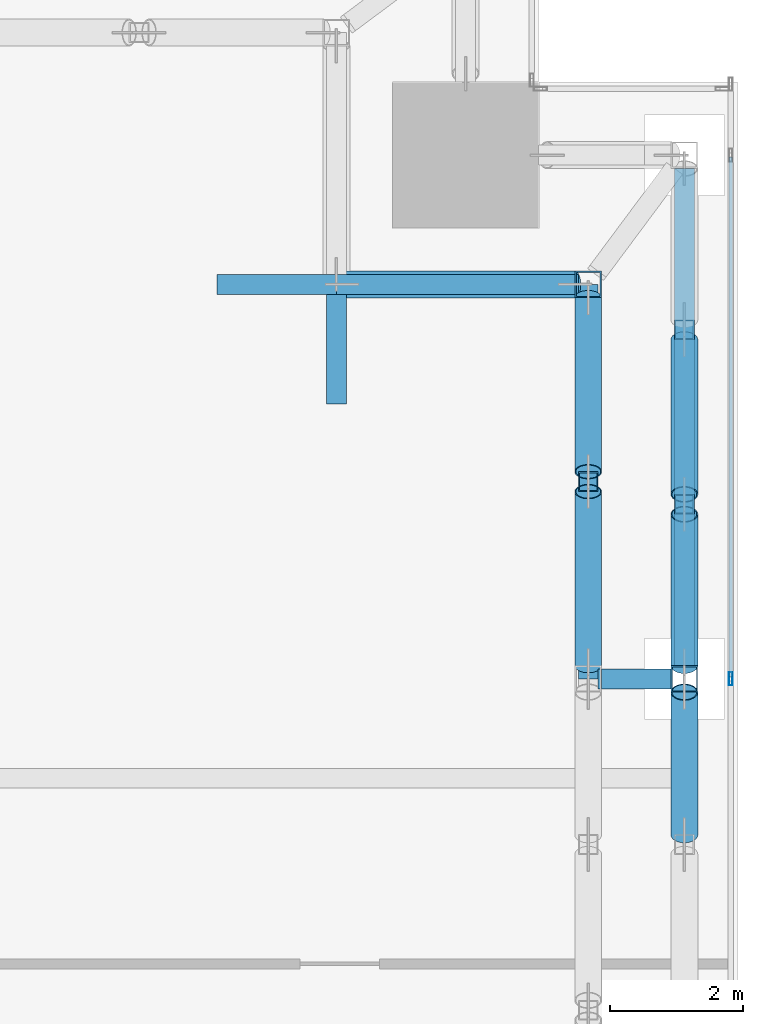
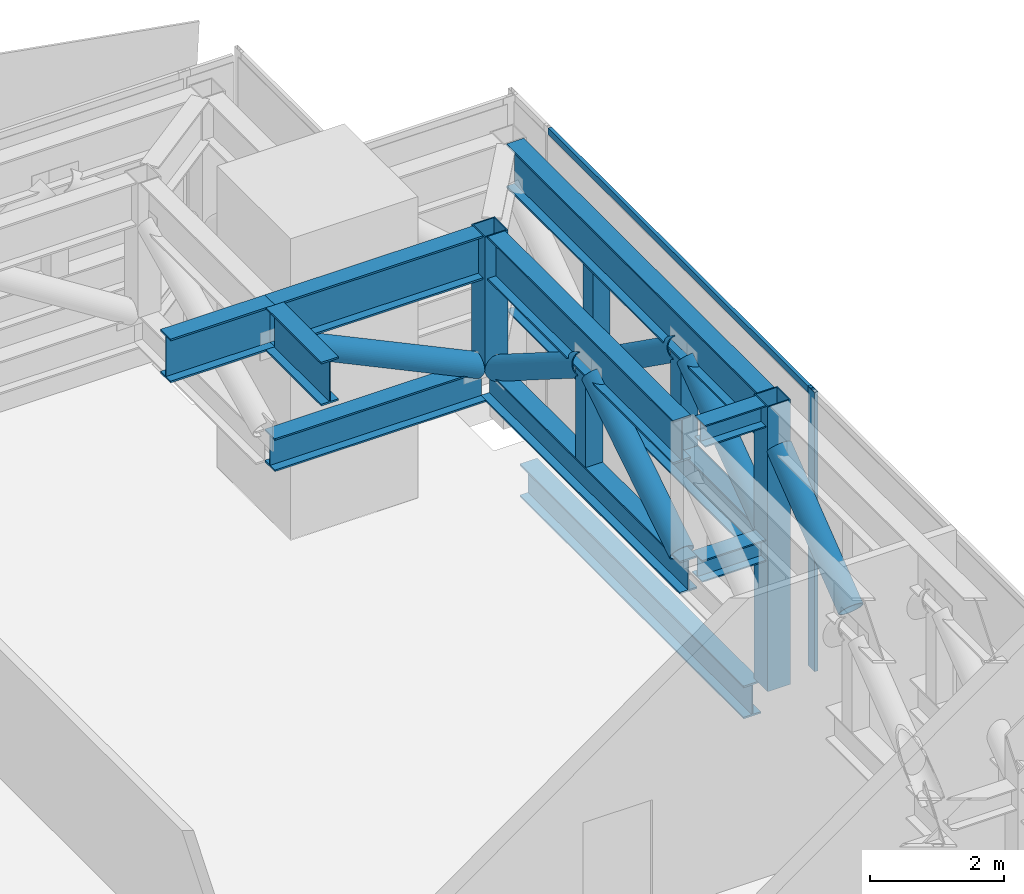
# One storey, part 24 of 39: 21 members, 3 beams, 1 element without a shape of its own.
"""IFC4 building model written with IfcOpenShell, lengths in metres."""

import ifcopenshell
import ifcopenshell.guid

model = None  # the IFC model being written
_history = None  # IfcOwnerHistory: only IFC2X3 demands one
_inside = {}  # id of a spatial element -> (the spatial element, [elements in it])
_under = {}  # id of a project, library or spatial element -> (it, [spatial elements below it])
_declared = {}  # id of a project -> (the project, [libraries it declares])
_typed = {}  # id of a type object -> (the type object, [elements of that type])
_made_of = {}  # id of a material, layer set ... -> (it, [elements and type objects made of it])


def new_model(schema):
    """Start an empty IFC model of exactly this schema.

    Asked for "IFC4X3", IfcOpenShell would pick the latest addendum, in which some entities
    have other attributes; the version numbers below select the first issue.
    IFC2X3 requires an IfcOwnerHistory on every rooted entity: one is made here for all.
    """
    global model, _history
    if schema == "IFC4X3":
        model = ifcopenshell.file(schema_version=(4, 3, 0, 0))
    else:
        model = ifcopenshell.file(schema=schema)
    _inside.clear()
    _under.clear()
    _declared.clear()
    _typed.clear()
    _made_of.clear()
    _history = None
    if model.schema == "IFC2X3":
        org = make("IfcOrganization", Name="unknown")
        user = make(
            "IfcPersonAndOrganization",
            ThePerson=make("IfcPerson", FamilyName="unknown"),
            TheOrganization=org,
        )
        app = make(
            "IfcApplication",
            ApplicationDeveloper=org,
            Version="unknown",
            ApplicationFullName="unknown",
            ApplicationIdentifier="unknown",
        )
        _history = make(
            "IfcOwnerHistory",
            OwningUser=user,
            OwningApplication=app,
            ChangeAction="ADDED",
            CreationDate=0,
        )
    return model


def make(cls, **values):
    """One entity of the class cls with the attributes given. An attribute that is None is left unset."""
    return model.create_entity(
        cls, **{name: value for name, value in values.items() if value is not None}
    )


def rooted(cls, **values):
    """An entity with a GlobalId (a new one), such as an element, a storey or a relation."""
    return make(cls, GlobalId=ifcopenshell.guid.new(), OwnerHistory=_history, **values)


def si_unit(unit_type, name, prefix=None):
    """IfcSIUnit, for example si_unit("LENGTHUNIT", "METRE", prefix="MILLI")."""
    return make("IfcSIUnit", UnitType=unit_type, Prefix=prefix, Name=name)


def assignment(units):
    """IfcUnitAssignment: the units of a project."""
    return None if units is None else make("IfcUnitAssignment", Units=units)


def point(xyz):
    """IfcCartesianPoint."""
    return None if xyz is None else make("IfcCartesianPoint", Coordinates=xyz)


def direction(xyz):
    """IfcDirection."""
    return None if xyz is None else make("IfcDirection", DirectionRatios=xyz)


def frame(location, z_axis=None, x_axis=None):
    """IfcAxis2Placement3D, a coordinate frame: its origin and axes. An axis left out is left unset."""
    return make(
        "IfcAxis2Placement3D",
        Location=point(location),
        Axis=direction(z_axis),
        RefDirection=direction(x_axis),
    )


def frame_2d(location, x_axis=None):
    """IfcAxis2Placement2D, a coordinate frame in the plane: its origin and x axis."""
    return make(
        "IfcAxis2Placement2D", Location=point(location), RefDirection=direction(x_axis)
    )


def origin():
    """The frame at (0, 0, 0) with its axes left unset."""
    return frame((0.0, 0.0, 0.0))


def origin_2d():
    """The frame at (0, 0) in the plane with its x axis left unset."""
    return frame_2d((0.0, 0.0))


def place(relative_to, where):
    """IfcLocalPlacement: puts the frame where relative to a parent placement (None: the world)."""
    return make(
        "IfcLocalPlacement", PlacementRelTo=relative_to, RelativePlacement=where
    )


def context(
    kind, dimensions, precision=None, world=None, true_north=None, identifier=None
):
    """IfcGeometricRepresentationContext, for example the 3D "Model" context."""
    return make(
        "IfcGeometricRepresentationContext",
        ContextIdentifier=identifier,
        ContextType=kind,
        CoordinateSpaceDimension=dimensions,
        Precision=precision,
        WorldCoordinateSystem=world,
        TrueNorth=true_north,
    )


def subcontext(parent, identifier, kind, view, scale=None):
    """IfcGeometricRepresentationSubContext, for example "Body" below "Model"."""
    return make(
        "IfcGeometricRepresentationSubContext",
        ContextIdentifier=identifier,
        ContextType=kind,
        ParentContext=parent,
        TargetScale=scale,
        TargetView=view,
    )


def project(units=None, contexts=None):
    """IfcProject with its units and contexts."""
    return rooted(
        "IfcProject",
        Name="project",
        RepresentationContexts=contexts,
        UnitsInContext=assignment(units),
    )


def spatial(cls, under=None, at=None, **own):
    """A site, building, storey or space (cls), placed at a placement, below another one or the project."""
    s = rooted(cls, ObjectPlacement=at, **own)
    if under is not None:
        _under.setdefault(under.id(), (under, []))[1].append(s)
    return s


def profile(cls, at=None, kind="AREA", **sizes):
    """A parametric profile (cls). Its sizes go by their IFC names, for example OverallWidth=200.0."""
    return make(cls, ProfileType=kind, Position=at, **sizes)


def hollow_rectangle(**sizes):
    """IfcRectangleHollowProfileDef."""
    return profile("IfcRectangleHollowProfileDef", **sizes)


def hollow_circle(**sizes):
    """IfcCircleHollowProfileDef."""
    return profile("IfcCircleHollowProfileDef", **sizes)


def i_section(**sizes):
    """IfcIShapeProfileDef."""
    return profile("IfcIShapeProfileDef", **sizes)


def extrude(swept, where, along, depth):
    """IfcExtrudedAreaSolid: the profile swept, set in the frame where, extruded along a direction by depth."""
    return make(
        "IfcExtrudedAreaSolid",
        SweptArea=swept,
        Position=where,
        ExtrudedDirection=direction(along),
        Depth=depth,
    )


def shape(context_of_items, identifier, shape_type, items):
    """IfcShapeRepresentation: the items that make up one representation, for example the "Body"."""
    return make(
        "IfcShapeRepresentation",
        ContextOfItems=context_of_items,
        RepresentationIdentifier=identifier,
        RepresentationType=shape_type,
        Items=items,
    )


def source(mapping_origin, context_of_items, identifier, shape_type, items):
    """IfcRepresentationMap: a shape defined once, which mapped items show again and again."""
    return make(
        "IfcRepresentationMap",
        MappingOrigin=mapping_origin,
        MappedRepresentation=shape(context_of_items, identifier, shape_type, items),
    )


def transform(
    local_origin,
    x_axis=None,
    y_axis=None,
    z_axis=None,
    scale=None,
    scale2=None,
    scale3=None,
    uniform=True,
):
    """IfcCartesianTransformationOperator3D, or its non-uniform kind. x_axis, y_axis, z_axis: its Axis1, 2, 3."""
    if uniform:
        return make(
            "IfcCartesianTransformationOperator3D",
            Axis1=direction(x_axis),
            Axis2=direction(y_axis),
            LocalOrigin=point(local_origin),
            Scale=scale,
            Axis3=direction(z_axis),
        )
    return make(
        "IfcCartesianTransformationOperator3DnonUniform",
        Axis1=direction(x_axis),
        Axis2=direction(y_axis),
        LocalOrigin=point(local_origin),
        Scale=scale,
        Axis3=direction(z_axis),
        Scale2=scale2,
        Scale3=scale3,
    )


def mapped(mapping_source, mapping_target):
    """IfcMappedItem: shows the shape of a source again, moved by a transform."""
    return make(
        "IfcMappedItem", MappingSource=mapping_source, MappingTarget=mapping_target
    )


def material(Name=None, Category=None):
    """IfcMaterial."""
    return make("IfcMaterial", Name=Name, Category=Category)


def material_profile(
    of_material, cross_section, Name=None, Category=None, Priority=None
):
    """IfcMaterialProfile: a cross section and its material."""
    return make(
        "IfcMaterialProfile",
        Name=Name,
        Material=of_material,
        Profile=cross_section,
        Priority=Priority,
        Category=Category,
    )


def profile_set(profiles, Name=None, composite=None):
    """IfcMaterialProfileSet."""
    return make(
        "IfcMaterialProfileSet",
        Name=Name,
        MaterialProfiles=profiles,
        CompositeProfile=composite,
    )


def made_of(thing, what):
    """Note that an element or type object is made of a material, layer set ...; save() writes the relation."""
    if what is not None:
        _made_of.setdefault(what.id(), (what, []))[1].append(thing)
    return thing


def type_object(cls, material=None, **own):
    """A type object (cls), such as IfcWallType, which elements share."""
    return made_of(rooted(cls, **own), material)


def element(
    cls,
    number,
    at=None,
    inside=None,
    cuts=None,
    type_object=None,
    material=None,
    context=None,
    identifier="Body",
    shape_type=None,
    held_by="IfcProductDefinitionShape",
    body=None,
    shapes=None,
    **own,
):
    """One element of the class cls, such as IfcWall. Its Tag is "e" and its number.

    at: its placement. inside: the storey or other place that contains it. cuts: it is an
    opening in that element (IfcRelVoidsElement). A single representation is given by context,
    identifier, shape_type and body (its items); several are given by shapes. held_by: the class
    of the entity that holds the representations. save() writes the other relations.
    """
    e = rooted(cls, Tag="e%d" % number, ObjectPlacement=at, **own)
    if body is not None:
        shapes = [shape(context, identifier, shape_type, body)]
    if shapes is not None:
        e.Representation = make(held_by, Representations=shapes)
    if inside is not None:
        _inside.setdefault(inside.id(), (inside, []))[1].append(e)
    if cuts is not None:
        rooted(
            "IfcRelVoidsElement", RelatingBuildingElement=cuts, RelatedOpeningElement=e
        )
    if type_object is not None:
        _typed.setdefault(type_object.id(), (type_object, []))[1].append(e)
    return made_of(e, material)


def aggregate(whole, parts):
    """IfcRelAggregates: a whole, such as a stair, and the parts it consists of."""
    return rooted("IfcRelAggregates", RelatingObject=whole, RelatedObjects=parts)


def save(model, path):
    """Write the relations noted so far, then the file.

    IfcRelAggregates (storeys below a building ...), IfcRelContainedInSpatialStructure (elements
    in a storey), IfcRelDefinesByType, IfcRelAssociatesMaterial and IfcRelDeclares: one each for
    every whole, place, type object, material and project.
    """
    for whole, parts in _under.values():
        aggregate(whole, parts)
    for where, things in _inside.values():
        rooted(
            "IfcRelContainedInSpatialStructure",
            RelatedElements=things,
            RelatingStructure=where,
        )
    for kind, things in _typed.values():
        rooted("IfcRelDefinesByType", RelatedObjects=things, RelatingType=kind)
    for what, things in _made_of.values():
        rooted("IfcRelAssociatesMaterial", RelatedObjects=things, RelatingMaterial=what)
    for by, libraries in _declared.values():
        rooted("IfcRelDeclares", RelatingContext=by, RelatedDefinitions=libraries)
    model.write(path)


model = new_model("IFC4")

# Units and contexts
model_context = context("Model", 3, precision=1e-05, world=origin(), true_north=direction((0.0, 1.0)))
body_context = subcontext(model_context, "Body", "Model", "MODEL_VIEW")
ifc_project = project(units=[si_unit("LENGTHUNIT", "METRE"), si_unit("AREAUNIT", "SQUARE_METRE"), si_unit("VOLUMEUNIT", "CUBIC_METRE"), si_unit("PLANEANGLEUNIT", "RADIAN"), si_unit("MASSUNIT", "GRAM", prefix="KILO")], contexts=[model_context])

# Site, building, storey
site_placement = place(None, origin())
site = spatial("IfcSite", under=ifc_project, at=site_placement, CompositionType="ELEMENT")
building_placement = place(site_placement, origin())
building = spatial("IfcBuilding", under=site, at=building_placement, Name="Khomas Fold Tower", CompositionType="ELEMENT")
storey_placement = place(building_placement, frame((0.0, 0.0, 96.0)))
storey = spatial("IfcBuildingStorey", under=building, at=storey_placement, Name="L20", CompositionType="ELEMENT", Elevation=96.0)

# Beam
ifc_material_1 = material(Name="Steel S355", Category="steel")
ifc_material_profile_1 = material_profile(ifc_material_1, i_section(OverallWidth=0.300048828125, OverallDepth=0.60009765625, WebThickness=0.015380859375, FlangeThickness=0.030029296875, at=origin_2d()), Name="HE 600 B")
ifc_profile_set_1 = profile_set([ifc_material_profile_1], Name="Steel S355")
beam_type_1 = type_object("IfcBeamType", Name="HE 600 B spandrel SB1", PredefinedType="SPANDREL", material=ifc_profile_set_1)
shared_shape_1 = source(origin(), body_context, "Body", "SweptSolid", [
    extrude(i_section(OverallWidth=0.300048828125, OverallDepth=0.60009765625, WebThickness=0.015380859375, FlangeThickness=0.030029296875, at=origin_2d()), origin(), (0.0, 0.0, 1.0), 6.699951171875),
])
beam_1_placement = place(storey_placement, frame((53.199951171875, 42.60009765625, -0.699951171875), z_axis=(0.0, 1.0, 0.0), x_axis=(-1.0, 0.0, 0.0)))
element("IfcBeam", 1, at=beam_1_placement, inside=storey, type_object=beam_type_1, Name="SB1", PredefinedType="SPANDREL", context=body_context, shape_type="MappedRepresentation", body=[
    mapped(shared_shape_1, transform((0.0, 0.0, 0.0))),
])

# Members
ifc_material_2 = material(Name="Steel S460M", Category="steel")
ifc_material_profile_2 = material_profile(ifc_material_2, i_section(OverallWidth=0.300048828125, OverallDepth=0.800048828125, WebThickness=0.017578125, FlangeThickness=0.032958984375, at=origin_2d()), Name="HE 800 B")
ifc_profile_set_2 = profile_set([ifc_material_profile_2], Name="Steel S460M")
member_type_1 = type_object("IfcMemberType", Name="BELT TRUSS 1 TOP CHORD HE 800 B", PredefinedType="CHORD", material=ifc_profile_set_2)
shared_shape_2 = source(origin(), body_context, "Body", "SweptSolid", [
    extrude(i_section(OverallWidth=0.300048828125, OverallDepth=0.800048828125, WebThickness=0.017578125, FlangeThickness=0.032958984375, at=origin_2d()), origin(), (0.0, 0.0, 1.0), 7.5),
])
member_1_placement = place(storey_placement, frame((53.199951171875, 42.199951171875, 4.800048828125), z_axis=(0.0, 1.0, 0.0), x_axis=(-1.0, 0.0, 0.0)))
element("IfcMember", 2, at=member_1_placement, inside=storey, type_object=member_type_1, Name="BT1-CT", PredefinedType="CHORD", context=body_context, shape_type="MappedRepresentation", body=[
    mapped(shared_shape_2, transform((0.0, 0.0, 0.0))),
])
ifc_material_3 = material(Name="Steel S355", Category="steel")
ifc_material_profile_3 = material_profile(ifc_material_3, i_section(OverallWidth=0.300048828125, OverallDepth=0.60009765625, WebThickness=0.015380859375, FlangeThickness=0.030029296875, at=origin_2d()), Name="HE 600 B")
ifc_profile_set_3 = profile_set([ifc_material_profile_3], Name="Steel S355")
member_type_2 = type_object("IfcMemberType", Name="BELT TRUSS 1 BOTTOM CHORD HE 600 B", PredefinedType="CHORD", material=ifc_profile_set_3)
shared_shape_3 = source(origin(), body_context, "Body", "SweptSolid", [
    extrude(i_section(OverallWidth=0.300048828125, OverallDepth=0.60009765625, WebThickness=0.015380859375, FlangeThickness=0.030029296875, at=origin_2d()), origin(), (0.0, 0.0, 1.0), 7.5),
])
member_2_placement = place(storey_placement, frame((53.199951171875, 42.199951171875, 2.449951171875), z_axis=(0.0, 1.0, 0.0), x_axis=(-1.0, 0.0, 0.0)))
element("IfcMember", 3, at=member_2_placement, inside=storey, type_object=member_type_2, Name="BT1-CB", PredefinedType="CHORD", context=body_context, shape_type="MappedRepresentation", body=[
    mapped(shared_shape_3, transform((0.0, 0.0, 0.0))),
])
ifc_material_4 = material(Name="Steel S355", Category="steel")
ifc_material_profile_4 = material_profile(ifc_material_4, hollow_circle(Radius=0.203125, WallThickness=0.01611328125, at=origin_2d()), Name="CHS 406.4x16")
ifc_profile_set_4 = profile_set([ifc_material_profile_4], Name="Steel S355")
member_type_3 = type_object("IfcMemberType", Name="BELT TRUSS 1 DIAGONAL CHS 406.4x16", PredefinedType="BRACE", material=ifc_profile_set_4)
shared_shape_4 = source(origin(), body_context, "Body", "SweptSolid", [
    extrude(hollow_circle(Radius=0.203125, WallThickness=0.01611328125, at=origin_2d()), origin(), (0.0, 0.0, 1.0), 2.863525390625),
])
member_3_placement = place(storey_placement, frame((53.199951171875, 44.783447265625, 4.405029296875), z_axis=(0.0, 0.814838084694, -0.579688619633), x_axis=(-1.0, 0.0, 0.0)))
element("IfcMember", 4, at=member_3_placement, inside=storey, type_object=member_type_3, Name="BT1-D", PredefinedType="BRACE", context=body_context, shape_type="MappedRepresentation", body=[
    mapped(shared_shape_4, transform((0.0, 0.0, 0.0))),
])
shared_shape_5 = source(origin(), body_context, "Body", "SweptSolid", [
    extrude(hollow_circle(Radius=0.203125, WallThickness=0.01611328125, at=origin_2d()), origin(), (0.0, 0.0, 1.0), 2.822998046875),
])
member_4_placement = place(storey_placement, frame((53.199951171875, 42.199951171875, 2.7451171875), z_axis=(0.0, 0.808866956084, 0.587991706876), x_axis=(-1.0, 0.0, 0.0)))
element("IfcMember", 5, at=member_4_placement, inside=storey, type_object=member_type_3, Name="BT1-D", PredefinedType="BRACE", context=body_context, shape_type="MappedRepresentation", body=[
    mapped(shared_shape_5, transform((0.0, 0.0, 0.0))),
])
ifc_material_5 = material(Name="Steel S355", Category="steel")
ifc_material_profile_5 = material_profile(ifc_material_5, hollow_rectangle(XDim=0.300048828125, YDim=0.300048828125, WallThickness=0.01611328125, at=origin_2d()), Name="SHS 300x300x16")
ifc_profile_set_5 = profile_set([ifc_material_profile_5], Name="Steel S355")
member_type_4 = type_object("IfcMemberType", Name="BELT TRUSS 1 MID POST SHS 300x300x16", PredefinedType="POST", material=ifc_profile_set_5)
shared_shape_6 = source(origin(), body_context, "Body", "SweptSolid", [
    extrude(hollow_rectangle(XDim=0.300048828125, YDim=0.300048828125, WallThickness=0.01611328125, at=origin_2d()), origin(), (0.0, 0.0, 1.0), 1.64990234375),
])
for number, where, z_axis, x_axis, name in (
    (6, (53.199951171875, 44.63330078125, 2.75), (0.0, 0.0, 1.0), (1.0, 0.0, 0.0), "BT1-M"),
    (7, (53.199951171875, 47.2666015625, 2.75), (0.0, 0.0, 1.0), (1.0, 0.0, 0.0), "BT1-M"),
    (8, (51.75, 44.97509765625, 2.75), (0.0, 0.0, 1.0), (1.0, 0.0, 0.0), "BT1-M"),
):
    element("IfcMember", number, at=place(storey_placement, frame(where, z_axis=z_axis, x_axis=x_axis)), inside=storey, type_object=member_type_4, Name=name, PredefinedType="POST", context=body_context, shape_type="MappedRepresentation", body=[
        mapped(shared_shape_6, transform((0.0, 0.0, 0.0))),
    ])
shared_shape_7 = source(origin(), body_context, "Body", "SweptSolid", [
    extrude(hollow_circle(Radius=0.203125, WallThickness=0.01611328125, at=origin_2d()), origin(), (0.0, 0.0, 1.0), 2.71630859375),
])
member_5_placement = place(storey_placement, frame((53.199951171875, 39.64990234375, 2.7451171875), z_axis=(0.0, 0.791563625226, 0.611086759159), x_axis=(-1.0, 0.0, 0.0)))
element("IfcMember", 9, at=member_5_placement, inside=storey, type_object=member_type_3, Name="BT1-D", PredefinedType="BRACE", context=body_context, shape_type="MappedRepresentation", body=[
    mapped(shared_shape_7, transform((0.0, 0.0, 0.0))),
])
shared_shape_8 = source(origin(), body_context, "Body", "SweptSolid", [
    extrude(i_section(OverallWidth=0.300048828125, OverallDepth=0.800048828125, WebThickness=0.017578125, FlangeThickness=0.032958984375, at=origin_2d()), origin(), (0.0, 0.0, 1.0), 5.550048828125),
])
member_6_placement = place(storey_placement, frame((51.75, 42.199951171875, 4.800048828125), z_axis=(0.0, 1.0, 0.0), x_axis=(-1.0, 0.0, 0.0)))
element("IfcMember", 10, at=member_6_placement, inside=storey, type_object=member_type_1, Name="BT1-CT", PredefinedType="CHORD", context=body_context, shape_type="MappedRepresentation", body=[
    mapped(shared_shape_8, transform((0.0, 0.0, 0.0))),
])
shared_shape_9 = source(origin(), body_context, "Body", "SweptSolid", [
    extrude(hollow_circle(Radius=0.203125, WallThickness=0.01611328125, at=origin_2d()), origin(), (0.0, 0.0, 1.0), 3.105712890625),
])
for number, where, z_axis, x_axis, name in (
    (11, (51.75, 42.199951171875, 2.7451171875), (0.0, 0.84519551241, 0.534457244129), (-1.0, 0.0, 0.0), "BT1-D"),
    (12, (51.75, 45.125, 4.405029296875), (0.0, 0.84519551241, -0.534457244129), (-1.0, 0.0, 0.0), "BT1-D"),
):
    element("IfcMember", number, at=place(storey_placement, frame(where, z_axis=z_axis, x_axis=x_axis)), inside=storey, type_object=member_type_3, Name=name, PredefinedType="BRACE", context=body_context, shape_type="MappedRepresentation", body=[
        mapped(shared_shape_9, transform((0.0, 0.0, 0.0))),
    ])
shared_shape_10 = source(origin(), body_context, "Body", "SweptSolid", [
    extrude(i_section(OverallWidth=0.300048828125, OverallDepth=0.60009765625, WebThickness=0.015380859375, FlangeThickness=0.030029296875, at=origin_2d()), origin(), (0.0, 0.0, 1.0), 5.949951171875),
])
member_7_placement = place(storey_placement, frame((51.75, 42.0, 2.449951171875), z_axis=(0.0, 1.0, 0.0), x_axis=(-1.0, 0.0, 0.0)))
element("IfcMember", 13, at=member_7_placement, inside=storey, type_object=member_type_2, Name="BT1-CB", PredefinedType="CHORD", context=body_context, shape_type="MappedRepresentation", body=[
    mapped(shared_shape_10, transform((0.0, 0.0, 0.0))),
])
ifc_material_6 = material(Name="Steel S460M", Category="steel")
ifc_material_profile_6 = material_profile(ifc_material_6, i_section(OverallWidth=0.300048828125, OverallDepth=0.800048828125, WebThickness=0.017578125, FlangeThickness=0.032958984375, at=origin_2d()), Name="HE 800 B")
ifc_profile_set_6 = profile_set([ifc_material_profile_6], Name="Steel S460M")
member_type_5 = type_object("IfcMemberType", Name="BELT TRUSS 1 TOP CHORD SHORT HE 800 B", PredefinedType="CHORD", material=ifc_profile_set_6)
shared_shape_11 = source(origin(), body_context, "Body", "SweptSolid", [
    extrude(i_section(OverallWidth=0.300048828125, OverallDepth=0.800048828125, WebThickness=0.017578125, FlangeThickness=0.032958984375, at=origin_2d()), origin(), (0.0, 0.0, 1.0), 3.60009765625),
])
member_8_placement = place(storey_placement, frame((51.550048828125, 47.949951171875, 4.800048828125), z_axis=(-1.0, 0.0, 0.0), x_axis=(0.0, -1.0, 0.0)))
element("IfcMember", 14, at=member_8_placement, inside=storey, type_object=member_type_5, Name="BT1-CTS", PredefinedType="CHORD", context=body_context, shape_type="MappedRepresentation", body=[
    mapped(shared_shape_11, transform((0.0, 0.0, 0.0))),
])
ifc_material_7 = material(Name="Steel S355", Category="steel")
ifc_material_profile_7 = material_profile(ifc_material_7, hollow_circle(Radius=0.203125, WallThickness=0.01611328125, at=origin_2d()), Name="CHS 406.4x16")
ifc_profile_set_7 = profile_set([ifc_material_profile_7], Name="Steel S355")
member_type_6 = type_object("IfcMemberType", Name="BELT TRUSS 1 DIAGONAL LONG CHS 406.4x16", PredefinedType="BRACE", material=ifc_profile_set_7)
shared_shape_12 = source(origin(), body_context, "Body", "SweptSolid", [
    extrude(hollow_circle(Radius=0.203125, WallThickness=0.01611328125, at=origin_2d()), origin(), (0.0, 0.0, 1.0), 3.887451171875),
])
member_9_placement = place(storey_placement, frame((51.550048828125, 47.949951171875, 2.7451171875), z_axis=(-0.904261444129, 0.0, 0.426979204016), x_axis=(0.0, -1.0, 0.0)))
element("IfcMember", 15, at=member_9_placement, inside=storey, type_object=member_type_6, Name="BT1-DL", PredefinedType="BRACE", context=body_context, shape_type="MappedRepresentation", body=[
    mapped(shared_shape_12, transform((0.0, 0.0, 0.0))),
])
ifc_material_8 = material(Name="Steel S460M", Category="steel")
ifc_material_profile_8 = material_profile(ifc_material_8, i_section(OverallWidth=0.300048828125, OverallDepth=0.800048828125, WebThickness=0.017578125, FlangeThickness=0.032958984375, at=origin_2d()), Name="HE 800 B")
ifc_profile_set_8 = profile_set([ifc_material_profile_8], Name="Steel S460M")
member_type_7 = type_object("IfcMemberType", Name="BELT TRUSS 1 TOP CHORD SHORTER HE 800 B", PredefinedType="CHORD", material=ifc_profile_set_8)
shared_shape_13 = source(origin(), body_context, "Body", "SweptSolid", [
    extrude(i_section(OverallWidth=0.300048828125, OverallDepth=0.800048828125, WebThickness=0.017578125, FlangeThickness=0.032958984375, at=origin_2d()), origin(), (0.0, 0.0, 1.0), 1.800048828125),
])
member_10_placement = place(storey_placement, frame((47.949951171875, 47.949951171875, 4.800048828125), z_axis=(-1.0, 0.0, 0.0), x_axis=(0.0, -1.0, 0.0)))
element("IfcMember", 16, at=member_10_placement, inside=storey, type_object=member_type_7, Name="BT1-CTSS", PredefinedType="CHORD", context=body_context, shape_type="MappedRepresentation", body=[
    mapped(shared_shape_13, transform((0.0, 0.0, 0.0))),
])
shared_shape_14 = source(origin(), body_context, "Body", "SweptSolid", [
    extrude(i_section(OverallWidth=0.300048828125, OverallDepth=0.800048828125, WebThickness=0.017578125, FlangeThickness=0.032958984375, at=origin_2d()), origin(), (0.0, 0.0, 1.0), 1.650146484375),
])
member_11_placement = place(storey_placement, frame((47.949951171875, 47.800048828125, 4.800048828125), z_axis=(0.0, -1.0, 0.0), x_axis=(1.0, 0.0, 0.0)))
element("IfcMember", 17, at=member_11_placement, inside=storey, type_object=member_type_7, Name="BT1-CTSS", PredefinedType="CHORD", context=body_context, shape_type="MappedRepresentation", body=[
    mapped(shared_shape_14, transform((0.0, 0.0, 0.0))),
])
ifc_material_9 = material(Name="Steel S355", Category="steel")
ifc_material_profile_9 = material_profile(ifc_material_9, i_section(OverallWidth=0.300048828125, OverallDepth=0.60009765625, WebThickness=0.015380859375, FlangeThickness=0.030029296875, at=origin_2d()), Name="HE 600 B")
ifc_profile_set_9 = profile_set([ifc_material_profile_9], Name="Steel S355")
member_type_8 = type_object("IfcMemberType", Name="BELT TRUSS 1 BOTTOM CHORD SHORT HE 600 B", PredefinedType="CHORD", material=ifc_profile_set_9)
shared_shape_15 = source(origin(), body_context, "Body", "SweptSolid", [
    extrude(i_section(OverallWidth=0.300048828125, OverallDepth=0.60009765625, WebThickness=0.015380859375, FlangeThickness=0.030029296875, at=origin_2d()), origin(), (0.0, 0.0, 1.0), 3.650146484375),
])
member_12_placement = place(storey_placement, frame((51.60009765625, 47.949951171875, 2.449951171875), z_axis=(-1.0, 0.0, 0.0), x_axis=(0.0, -1.0, 0.0)))
element("IfcMember", 18, at=member_12_placement, inside=storey, type_object=member_type_8, Name="BT1-CBS", PredefinedType="CHORD", context=body_context, shape_type="MappedRepresentation", body=[
    mapped(shared_shape_15, transform((0.0, 0.0, 0.0))),
])
ifc_material_10 = material(Name="Steel S460M", Category="steel")
ifc_material_profile_10 = material_profile(ifc_material_10, hollow_rectangle(XDim=0.39990234375, YDim=0.39990234375, WallThickness=0.02001953125, at=origin_2d()), Name="SHS 400x400x20")
ifc_profile_set_10 = profile_set([ifc_material_profile_10], Name="Steel S460M")
member_type_9 = type_object("IfcMemberType", Name="BELT TRUSS 1 COLUMN POST LONG SHS 400x400x20", PredefinedType="POST", material=ifc_profile_set_10)
shared_shape_16 = source(origin(), body_context, "Body", "SweptSolid", [
    extrude(hollow_rectangle(XDim=0.39990234375, YDim=0.39990234375, WallThickness=0.02001953125, at=origin_2d()), origin(), (0.0, 0.0, 1.0), 5.199951171875),
])
member_13_placement = place(storey_placement, frame((53.199951171875, 42.0, 0.0), z_axis=(0.0, 0.0, 1.0), x_axis=(1.0, 0.0, 0.0)))
element("IfcMember", 19, at=member_13_placement, inside=storey, type_object=member_type_9, Name="BT1-PL", PredefinedType="POST", context=body_context, shape_type="MappedRepresentation", body=[
    mapped(shared_shape_16, transform((0.0, 0.0, 0.0))),
])
ifc_material_11 = material(Name="Steel S460M", Category="steel")
ifc_material_profile_11 = material_profile(ifc_material_11, hollow_rectangle(XDim=0.39990234375, YDim=0.39990234375, WallThickness=0.02001953125, at=origin_2d()), Name="SHS 400x400x20")
ifc_profile_set_11 = profile_set([ifc_material_profile_11], Name="Steel S460M")
member_type_10 = type_object("IfcMemberType", Name="BELT TRUSS 1 COLUMN POST SHS 400x400x20", PredefinedType="POST", material=ifc_profile_set_11)
shared_shape_17 = source(origin(), body_context, "Body", "SweptSolid", [
    extrude(hollow_rectangle(XDim=0.39990234375, YDim=0.39990234375, WallThickness=0.02001953125, at=origin_2d()), origin(), (0.0, 0.0, 1.0), 2.449951171875),
])
member_14_placement = place(storey_placement, frame((51.75, 47.949951171875, 2.75), z_axis=(0.0, 0.0, 1.0), x_axis=(1.0, 0.0, 0.0)))
element("IfcMember", 20, at=member_14_placement, inside=storey, type_object=member_type_10, Name="BT1-P", PredefinedType="POST", context=body_context, shape_type="MappedRepresentation", body=[
    mapped(shared_shape_17, transform((0.0, 0.0, 0.0))),
])

# Beams
ifc_material_12 = material(Name="Steel S355", Category="steel")
ifc_material_profile_12 = material_profile(ifc_material_12, i_section(OverallWidth=0.300048828125, OverallDepth=0.39990234375, WebThickness=0.013427734375, FlangeThickness=0.02392578125, at=origin_2d()), Name="HE 400 B")
ifc_profile_set_12 = profile_set([ifc_material_profile_12], Name="Steel S355")
beam_type_2 = type_object("IfcBeamType", Name="BELT TRUSS 1 TOP STRUT HE 400 B", PredefinedType="BEAM", material=ifc_profile_set_12)
shared_shape_18 = source(origin(), body_context, "Body", "SweptSolid", [
    extrude(i_section(OverallWidth=0.300048828125, OverallDepth=0.39990234375, WebThickness=0.013427734375, FlangeThickness=0.02392578125, at=origin_2d()), origin(), (0.0, 0.0, 1.0), 1.050048828125),
])
beam_2_placement = place(storey_placement, frame((51.949951171875, 42.0, 5.0), z_axis=(1.0, 0.0, 0.0), x_axis=(0.0, 1.0, 0.0)))
element("IfcBeam", 21, at=beam_2_placement, inside=storey, type_object=beam_type_2, Name="BT1-ST", PredefinedType="BEAM", context=body_context, shape_type="MappedRepresentation", body=[
    mapped(shared_shape_18, transform((0.0, 0.0, 0.0))),
])
ifc_material_13 = material(Name="Steel S355", Category="steel")
ifc_material_profile_13 = material_profile(ifc_material_13, i_section(OverallWidth=0.300048828125, OverallDepth=0.39990234375, WebThickness=0.013427734375, FlangeThickness=0.02392578125, at=origin_2d()), Name="HE 400 B")
ifc_profile_set_13 = profile_set([ifc_material_profile_13], Name="Steel S355")
beam_type_3 = type_object("IfcBeamType", Name="BELT TRUSS 1 BOTTOM STRUT HE 400 B", PredefinedType="BEAM", material=ifc_profile_set_13)
shared_shape_19 = source(origin(), body_context, "Body", "SweptSolid", [
    extrude(i_section(OverallWidth=0.300048828125, OverallDepth=0.39990234375, WebThickness=0.013427734375, FlangeThickness=0.02392578125, at=origin_2d()), origin(), (0.0, 0.0, 1.0), 1.10009765625),
])
beam_3_placement = place(storey_placement, frame((51.89990234375, 42.0, 2.550048828125), z_axis=(1.0, 0.0, 0.0), x_axis=(0.0, 1.0, 0.0)))
element("IfcBeam", 22, at=beam_3_placement, inside=storey, type_object=beam_type_3, Name="BT1-SB", PredefinedType="BEAM", context=body_context, shape_type="MappedRepresentation", body=[
    mapped(shared_shape_19, transform((0.0, 0.0, 0.0))),
])

# Curtain wall, members
ifc_material_14 = material(Name="Aluminium framed double glazing", Category="aluminium")
curtain_wall_type = type_object("IfcCurtainWallType", Name="SK-Plant louvre wall CW4", PredefinedType="NOTDEFINED", material=ifc_material_14)
curtain_wall_placement = place(storey_placement, origin())
curtain_wall = element("IfcCurtainWall", 23, at=curtain_wall_placement, inside=storey, type_object=curtain_wall_type, Name="CW4 run L20 03-0", PredefinedType="NOTDEFINED")
ifc_material_15 = material(Name="Aluminium", Category="aluminium")
ifc_material_profile_14 = material_profile(ifc_material_15, hollow_rectangle(XDim=0.06005859375, YDim=0.199951171875, WallThickness=0.00390625, at=origin_2d()), Name="SK-Plant louvre wall mullion CW4-M")
ifc_profile_set_14 = profile_set([ifc_material_profile_14], Name="Aluminium")
member_type_11 = type_object("IfcMemberType", Name="SK-Plant louvre wall mullion CW4-M", PredefinedType="MULLION", material=ifc_profile_set_14)
shared_shape_20 = source(origin(), body_context, "Body", "SweptSolid", [
    extrude(hollow_rectangle(XDim=0.06005859375, YDim=0.199951171875, WallThickness=0.00390625, at=origin_2d()), origin(), (0.0, 0.0, 1.0), 5.10009765625),
])
member_15_placement = place(storey_placement, frame((53.89990234375, 42.0, 0.0), z_axis=(0.0, 0.0, 1.0), x_axis=(-1.0, 0.0, 0.0)))
member_15 = element("IfcMember", 24, at=member_15_placement, type_object=member_type_11, Name="CW4 mullion 7", PredefinedType="MULLION", context=body_context, shape_type="MappedRepresentation", body=[
    mapped(shared_shape_20, transform((0.0, 0.0, 0.0))),
])
ifc_material_16 = material(Name="Aluminium", Category="aluminium")
ifc_material_profile_15 = material_profile(ifc_material_16, hollow_rectangle(XDim=0.06005859375, YDim=0.1201171875, WallThickness=0.00390625, at=origin_2d()), Name="SK-Plant louvre wall transom CW4-T")
ifc_profile_set_15 = profile_set([ifc_material_profile_15], Name="Aluminium")
member_type_12 = type_object("IfcMemberType", Name="SK-Plant louvre wall transom CW4-T", PredefinedType="USERDEFINED", material=ifc_profile_set_15)
shared_shape_21 = source(origin(), body_context, "Body", "SweptSolid", [
    extrude(hollow_rectangle(XDim=0.06005859375, YDim=0.1201171875, WallThickness=0.00390625, at=origin_2d()), origin(), (0.0, 0.0, 1.0), 7.840087890625),
])
member_16_placement = place(storey_placement, frame((53.89990234375, 42.030029296875, 5.0400390625), z_axis=(0.0, 1.0, 0.0), x_axis=(-1.0, 0.0, 0.0)))
member_16 = element("IfcMember", 25, at=member_16_placement, type_object=member_type_12, Name="CW4 transom 7", ObjectType="TRANSOM", PredefinedType="USERDEFINED", context=body_context, shape_type="MappedRepresentation", body=[
    mapped(shared_shape_21, transform((0.0, 0.0, 0.0))),
])
aggregate(curtain_wall, [member_15, member_16])

save(model, "model.ifc")
